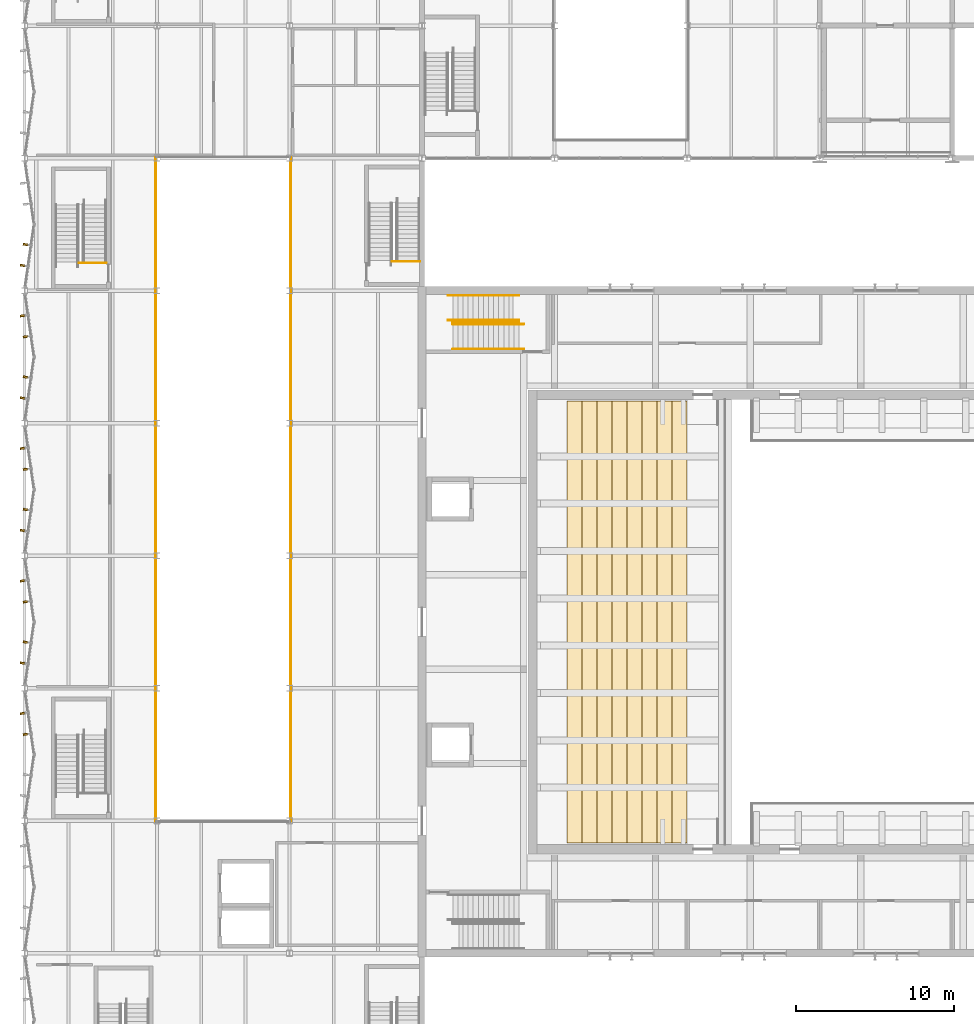
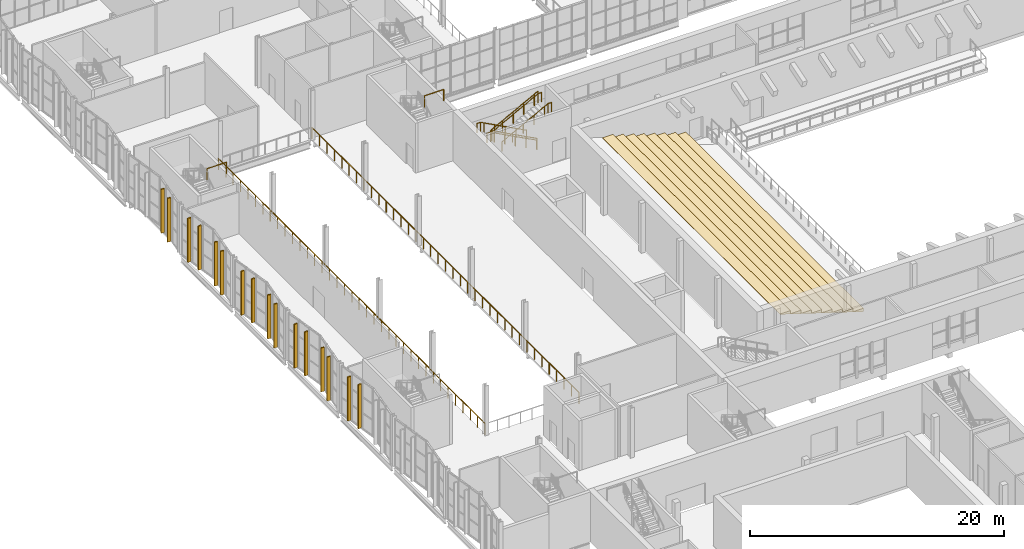
# One storey, part 117 of 127: 16 shading devices, 10 railings, 1 covering.
"""IFC4 building model written with IfcOpenShell, lengths in metres."""

from ifc_helpers import new_model, si_unit, direction, frame, origin, origin_2d, place, context, subcontext, project, spatial, polyline, rectangle, circle, outline, extrude, material, layer, layer_set, type_object, element, save


model = new_model("IFC4")

# Units and contexts
model_context = context("Model", 3, precision=1e-05, world=origin(), true_north=direction((0.0, 1.0)))
body_context = subcontext(model_context, "Body", "Model", "MODEL_VIEW")
ifc_project = project(units=[si_unit("LENGTHUNIT", "METRE"), si_unit("AREAUNIT", "SQUARE_METRE"), si_unit("VOLUMEUNIT", "CUBIC_METRE"), si_unit("PLANEANGLEUNIT", "RADIAN"), si_unit("MASSUNIT", "GRAM", prefix="KILO")], contexts=[model_context])

# Site, building, storey
site_placement = place(None, origin())
site = spatial("IfcSite", under=ifc_project, at=site_placement, CompositionType="ELEMENT")
building_placement = place(site_placement, origin())
building = spatial("IfcBuilding", under=site, at=building_placement, Name="Ljudholm Concert House", CompositionType="ELEMENT")
storey_placement = place(building_placement, frame((0.0, 0.0, 5.39990234375)))
storey = spatial("IfcBuildingStorey", under=building, at=storey_placement, Name="L01", CompositionType="ELEMENT", Elevation=5.39990234375)

# Shading devices
ifc_material_1 = material(Name="Aluminium extrusion with timber-grain PVDF finish", Category="aluminium")
shading_device_type = type_object("IfcShadingDeviceType", Name="FACADE FIN 300x120", PredefinedType="SHUTTER", material=ifc_material_1)
for number, where, z_axis, x_axis, name in (
    (1, (4.06396484375, 68.27783203125, 0.2001953125), (0.0, 0.0, 1.0), (-0.989949493662, -0.141421356235, 0.0), "Facade fin"),
    (2, (3.874267578125, 69.605224609375, 0.2001953125), (0.0, 0.0, 1.0), (-0.989949493662, -0.141421356235, 0.0), "Facade fin"),
    (3, (3.874267578125, 72.794677734375, 0.2001953125), (0.0, 0.0, 1.0), (-0.989949493662, 0.141421356235, 0.0), "Facade fin"),
    (4, (4.06396484375, 74.1220703125, 0.2001953125), (0.0, 0.0, 1.0), (-0.989949493662, 0.141421356235, 0.0), "Facade fin"),
    (5, (4.06396484375, 76.677978515625, 0.2001953125), (0.0, 0.0, 1.0), (-0.989949493662, -0.141421356235, 0.0), "Facade fin"),
    (6, (3.874267578125, 78.00537109375, 0.2001953125), (0.0, 0.0, 1.0), (-0.989949493662, -0.141421356235, 0.0), "Facade fin"),
    (7, (3.874267578125, 81.194580078125, 0.2001953125), (0.0, 0.0, 1.0), (-0.989949493662, 0.141421356235, 0.0), "Facade fin"),
    (8, (4.06396484375, 82.52197265625, 0.2001953125), (0.0, 0.0, 1.0), (-0.989949493662, 0.141421356235, 0.0), "Facade fin"),
    (9, (4.06396484375, 85.077880859375, 0.2001953125), (0.0, 0.0, 1.0), (-0.989949493662, -0.141421356235, 0.0), "Facade fin"),
    (10, (3.874267578125, 86.4052734375, 0.2001953125), (0.0, 0.0, 1.0), (-0.989949493662, -0.141421356235, 0.0), "Facade fin"),
    (11, (3.874267578125, 89.5947265625, 0.2001953125), (0.0, 0.0, 1.0), (-0.989949493662, 0.141421356235, 0.0), "Facade fin"),
    (12, (4.06396484375, 90.922119140625, 0.2001953125), (0.0, 0.0, 1.0), (-0.989949493662, 0.141421356235, 0.0), "Facade fin"),
    (13, (4.06396484375, 93.47802734375, 0.2001953125), (0.0, 0.0, 1.0), (-0.989949493662, -0.141421356235, 0.0), "Facade fin"),
    (14, (3.874267578125, 94.805419921875, 0.2001953125), (0.0, 0.0, 1.0), (-0.989949493662, -0.141421356235, 0.0), "Facade fin"),
    (15, (3.874267578125, 97.99462890625, 0.2001953125), (0.0, 0.0, 1.0), (-0.989949493662, 0.141421356235, 0.0), "Facade fin"),
    (16, (4.06396484375, 99.322021484375, 0.2001953125), (0.0, 0.0, 1.0), (-0.989949493662, 0.141421356235, 0.0), "Facade fin"),
):
    element("IfcShadingDevice", number, at=place(storey_placement, frame(where, z_axis=z_axis, x_axis=x_axis)), inside=storey, type_object=shading_device_type, Name=name, PredefinedType="SHUTTER", context=body_context, shape_type="SweptSolid", body=[
        extrude(rectangle(XDim=0.300048828125, YDim=0.1201171875, at=origin_2d()), origin(), (0.0, 0.0, 1.0), 4.219970703125),
    ])

# Railings
ifc_material_2 = material(Name="Steel ASTM A36", Category="steel")
railing_type_1 = type_object("IfcRailingType", Name="GUARD 1100", PredefinedType="GUARDRAIL", material=ifc_material_2)
railing_1_placement = place(storey_placement, frame((35.35009765625, 94.47509765625, 0.171630859375)))
element("IfcRailing", 17, at=railing_1_placement, inside=storey, type_object=railing_type_1, Name="Guard", PredefinedType="GUARDRAIL", context=body_context, shape_type="SweptSolid", body=[
    extrude(circle(Radius=0.02490234375, at=origin_2d()), frame((0.0, 0.0, 1.0751953125), z_axis=(-0.883397901953, 0.0, 0.468623672925), x_axis=(0.0, -1.0, 0.0)), (0.0, 0.0, 1.0), 1.09716796875),
    extrude(circle(Radius=0.02490234375, at=origin_2d()), frame((-0.96923828125, 0.0, 1.58935546875), z_axis=(-0.883305776083, 0.0, 0.468797297281), x_axis=(0.0, -1.0, 0.0)), (0.0, 0.0, 1.0), 1.09716796875),
    extrude(circle(Radius=0.02490234375, at=origin_2d()), frame((-1.9384765625, 0.0, 2.103515625), z_axis=(-0.883397901953, 0.0, 0.468623672925), x_axis=(0.0, -1.0, 0.0)), (0.0, 0.0, 1.0), 1.09716796875),
    extrude(circle(Radius=0.02490234375, at=origin_2d()), frame((-2.90771484375, 0.0, 2.61767578125), z_axis=(-0.883305776083, 0.0, 0.468797297281), x_axis=(0.0, -1.0, 0.0)), (0.0, 0.0, 1.0), 1.09716796875),
    extrude(circle(Radius=0.02490234375, at=origin_2d()), frame((-3.876953125, 0.0, 3.13232421875), z_axis=(-0.883495578036, 0.0, 0.468439498324), x_axis=(0.0, -1.0, 0.0)), (0.0, 0.0, 1.0), 0.365966796875),
    extrude(circle(Radius=0.02099609375, at=origin_2d()), origin(), (0.0, 0.0, 1.0), 1.050048828125),
    extrude(circle(Radius=0.02099609375, at=origin_2d()), frame((-0.96923828125, 0.0, 0.51416015625)), (0.0, 0.0, 1.0), 1.050048828125),
    extrude(circle(Radius=0.02099609375, at=origin_2d()), frame((-1.9384765625, 0.0, 1.028564453125)), (0.0, 0.0, 1.0), 1.050048828125),
    extrude(circle(Radius=0.02099609375, at=origin_2d()), frame((-2.90771484375, 0.0, 1.542724609375)), (0.0, 0.0, 1.0), 1.050048828125),
    extrude(circle(Radius=0.02099609375, at=origin_2d()), frame((-3.876953125, 0.0, 2.05712890625)), (0.0, 0.0, 1.0), 1.050048828125),
    extrude(circle(Radius=0.02099609375, at=origin_2d()), frame((-4.2001953125, 0.0, 2.228515625)), (0.0, 0.0, 1.0), 1.050048828125),
])
railing_2_placement = place(storey_placement, frame((31.14990234375, 94.324951171875, 2.571533203125)))
element("IfcRailing", 18, at=railing_2_placement, inside=storey, type_object=railing_type_1, Name="Guard", PredefinedType="GUARDRAIL", context=body_context, shape_type="SweptSolid", body=[
    extrude(circle(Radius=0.02490234375, at=origin_2d()), frame((0.0, 0.0, 1.0751953125), z_axis=(0.883397901953, 0.0, 0.468623672925), x_axis=(0.0, 1.0, 0.0)), (0.0, 0.0, 1.0), 1.09716796875),
    extrude(circle(Radius=0.02490234375, at=origin_2d()), frame((0.96923828125, 0.0, 1.58935546875), z_axis=(0.883305776083, 0.0, 0.468797297281), x_axis=(0.0, 1.0, 0.0)), (0.0, 0.0, 1.0), 1.09716796875),
    extrude(circle(Radius=0.02490234375, at=origin_2d()), frame((1.9384765625, 0.0, 2.103515625), z_axis=(0.883305776083, 0.0, 0.468797297281), x_axis=(0.0, 1.0, 0.0)), (0.0, 0.0, 1.0), 1.09716796875),
    extrude(circle(Radius=0.02490234375, at=origin_2d()), frame((2.90771484375, 0.0, 2.6181640625), z_axis=(0.883397901953, 0.0, 0.468623672925), x_axis=(0.0, 1.0, 0.0)), (0.0, 0.0, 1.0), 1.09716796875),
    extrude(circle(Radius=0.02490234375, at=origin_2d()), frame((3.876953125, 0.0, 3.13232421875), z_axis=(0.883495578036, 0.0, 0.468439498324), x_axis=(0.0, 1.0, 0.0)), (0.0, 0.0, 1.0), 0.365966796875),
    extrude(circle(Radius=0.02099609375, at=origin_2d()), origin(), (0.0, 0.0, 1.0), 1.050048828125),
    extrude(circle(Radius=0.02099609375, at=origin_2d()), frame((0.96923828125, 0.0, 0.51416015625)), (0.0, 0.0, 1.0), 1.050048828125),
    extrude(circle(Radius=0.02099609375, at=origin_2d()), frame((1.9384765625, 0.0, 1.028564453125)), (0.0, 0.0, 1.0), 1.050048828125),
    extrude(circle(Radius=0.02099609375, at=origin_2d()), frame((2.90771484375, 0.0, 1.54296875)), (0.0, 0.0, 1.0), 1.050048828125),
    extrude(circle(Radius=0.02099609375, at=origin_2d()), frame((3.876953125, 0.0, 2.05712890625)), (0.0, 0.0, 1.0), 1.050048828125),
    extrude(circle(Radius=0.02099609375, at=origin_2d()), frame((4.2001953125, 0.0, 2.228515625)), (0.0, 0.0, 1.0), 1.050048828125),
])
for number, where, name in (
    (19, (29.050048828125, 98.25, 4.800048828125), "Guard"),
    (20, (9.199951171875, 98.14990234375, 4.800048828125), "Guard"),
):
    element("IfcRailing", number, at=place(storey_placement, frame(where)), inside=storey, type_object=railing_type_1, Name=name, PredefinedType="GUARDRAIL", context=body_context, shape_type="SweptSolid", body=[
        extrude(circle(Radius=0.02490234375, at=origin_2d()), frame((0.0, 0.0, 1.0751953125), z_axis=(-1.0, 0.0, 0.0), x_axis=(0.0, -1.0, 0.0)), (0.0, 0.0, 1.0), 1.75),
        extrude(circle(Radius=0.02099609375, at=origin_2d()), origin(), (0.0, 0.0, 1.0), 1.050048828125),
        extrude(circle(Radius=0.02099609375, at=origin_2d()), frame((-1.75, 0.0, 0.0)), (0.0, 0.0, 1.0), 1.050048828125),
    ])
railing_3_placement = place(storey_placement, frame((20.8701171875, 62.760009765625, 0.0)))
element("IfcRailing", 21, at=railing_3_placement, inside=storey, type_object=railing_type_1, Name="Atrium guard", PredefinedType="GUARDRAIL", context=body_context, shape_type="SweptSolid", body=[
    extrude(circle(Radius=0.02490234375, at=origin_2d()), frame((0.0, 0.0, 1.0751953125), z_axis=(0.0, 1.0, 0.0), x_axis=(-1.0, 0.0, 0.0)), (0.0, 0.0, 1.0), 42.080078125),
    extrude(circle(Radius=0.02099609375, at=origin_2d()), origin(), (0.0, 0.0, 1.0), 1.050048828125),
    extrude(circle(Radius=0.02099609375, at=origin_2d()), frame((0.0, 1.1689453125, 0.0)), (0.0, 0.0, 1.0), 1.050048828125),
    extrude(circle(Radius=0.02099609375, at=origin_2d()), frame((0.0, 2.337890625, 0.0)), (0.0, 0.0, 1.0), 1.050048828125),
    extrude(circle(Radius=0.02099609375, at=origin_2d()), frame((0.0, 3.506591796875, 0.0)), (0.0, 0.0, 1.0), 1.050048828125),
    extrude(circle(Radius=0.02099609375, at=origin_2d()), frame((0.0, 4.675537109375, 0.0)), (0.0, 0.0, 1.0), 1.050048828125),
    extrude(circle(Radius=0.02099609375, at=origin_2d()), frame((0.0, 5.844482421875, 0.0)), (0.0, 0.0, 1.0), 1.050048828125),
    extrude(circle(Radius=0.02099609375, at=origin_2d()), frame((0.0, 7.013427734375, 0.0)), (0.0, 0.0, 1.0), 1.050048828125),
    extrude(circle(Radius=0.02099609375, at=origin_2d()), frame((0.0, 8.18212890625, 0.0)), (0.0, 0.0, 1.0), 1.050048828125),
    extrude(circle(Radius=0.02099609375, at=origin_2d()), frame((0.0, 9.35107421875, 0.0)), (0.0, 0.0, 1.0), 1.050048828125),
    extrude(circle(Radius=0.02099609375, at=origin_2d()), frame((0.0, 10.52001953125, 0.0)), (0.0, 0.0, 1.0), 1.050048828125),
    extrude(circle(Radius=0.02099609375, at=origin_2d()), frame((0.0, 11.68896484375, 0.0)), (0.0, 0.0, 1.0), 1.050048828125),
    extrude(circle(Radius=0.02099609375, at=origin_2d()), frame((0.0, 12.85791015625, 0.0)), (0.0, 0.0, 1.0), 1.050048828125),
    extrude(circle(Radius=0.02099609375, at=origin_2d()), frame((0.0, 14.026611328125, 0.0)), (0.0, 0.0, 1.0), 1.050048828125),
    extrude(circle(Radius=0.02099609375, at=origin_2d()), frame((0.0, 15.195556640625, 0.0)), (0.0, 0.0, 1.0), 1.050048828125),
    extrude(circle(Radius=0.02099609375, at=origin_2d()), frame((0.0, 16.364501953125, 0.0)), (0.0, 0.0, 1.0), 1.050048828125),
    extrude(circle(Radius=0.02099609375, at=origin_2d()), frame((0.0, 17.533447265625, 0.0)), (0.0, 0.0, 1.0), 1.050048828125),
    extrude(circle(Radius=0.02099609375, at=origin_2d()), frame((0.0, 18.7021484375, 0.0)), (0.0, 0.0, 1.0), 1.050048828125),
    extrude(circle(Radius=0.02099609375, at=origin_2d()), frame((0.0, 19.87109375, 0.0)), (0.0, 0.0, 1.0), 1.050048828125),
    extrude(circle(Radius=0.02099609375, at=origin_2d()), frame((0.0, 21.0400390625, 0.0)), (0.0, 0.0, 1.0), 1.050048828125),
    extrude(circle(Radius=0.02099609375, at=origin_2d()), frame((0.0, 22.208984375, 0.0)), (0.0, 0.0, 1.0), 1.050048828125),
    extrude(circle(Radius=0.02099609375, at=origin_2d()), frame((0.0, 23.3779296875, 0.0)), (0.0, 0.0, 1.0), 1.050048828125),
    extrude(circle(Radius=0.02099609375, at=origin_2d()), frame((0.0, 24.546630859375, 0.0)), (0.0, 0.0, 1.0), 1.050048828125),
    extrude(circle(Radius=0.02099609375, at=origin_2d()), frame((0.0, 25.715576171875, 0.0)), (0.0, 0.0, 1.0), 1.050048828125),
    extrude(circle(Radius=0.02099609375, at=origin_2d()), frame((0.0, 26.884521484375, 0.0)), (0.0, 0.0, 1.0), 1.050048828125),
    extrude(circle(Radius=0.02099609375, at=origin_2d()), frame((0.0, 28.053466796875, 0.0)), (0.0, 0.0, 1.0), 1.050048828125),
    extrude(circle(Radius=0.02099609375, at=origin_2d()), frame((0.0, 29.22216796875, 0.0)), (0.0, 0.0, 1.0), 1.050048828125),
    extrude(circle(Radius=0.02099609375, at=origin_2d()), frame((0.0, 30.39111328125, 0.0)), (0.0, 0.0, 1.0), 1.050048828125),
    extrude(circle(Radius=0.02099609375, at=origin_2d()), frame((0.0, 31.56005859375, 0.0)), (0.0, 0.0, 1.0), 1.050048828125),
    extrude(circle(Radius=0.02099609375, at=origin_2d()), frame((0.0, 32.72900390625, 0.0)), (0.0, 0.0, 1.0), 1.050048828125),
    extrude(circle(Radius=0.02099609375, at=origin_2d()), frame((0.0, 33.89794921875, 0.0)), (0.0, 0.0, 1.0), 1.050048828125),
    extrude(circle(Radius=0.02099609375, at=origin_2d()), frame((0.0, 35.066650390625, 0.0)), (0.0, 0.0, 1.0), 1.050048828125),
    extrude(circle(Radius=0.02099609375, at=origin_2d()), frame((0.0, 36.235595703125, 0.0)), (0.0, 0.0, 1.0), 1.050048828125),
    extrude(circle(Radius=0.02099609375, at=origin_2d()), frame((0.0, 37.404541015625, 0.0)), (0.0, 0.0, 1.0), 1.050048828125),
    extrude(circle(Radius=0.02099609375, at=origin_2d()), frame((0.0, 38.573486328125, 0.0)), (0.0, 0.0, 1.0), 1.050048828125),
    extrude(circle(Radius=0.02099609375, at=origin_2d()), frame((0.0, 39.7421875, 0.0)), (0.0, 0.0, 1.0), 1.050048828125),
    extrude(circle(Radius=0.02099609375, at=origin_2d()), frame((0.0, 40.9111328125, 0.0)), (0.0, 0.0, 1.0), 1.050048828125),
    extrude(circle(Radius=0.02099609375, at=origin_2d()), frame((0.0, 42.080078125, 0.0)), (0.0, 0.0, 1.0), 1.050048828125),
])
railing_4_placement = place(storey_placement, frame((12.330078125, 104.840087890625, 0.0)))
element("IfcRailing", 22, at=railing_4_placement, inside=storey, type_object=railing_type_1, Name="Atrium guard", PredefinedType="GUARDRAIL", context=body_context, shape_type="SweptSolid", body=[
    extrude(circle(Radius=0.02490234375, at=origin_2d()), frame((0.0, 0.0, 1.0751953125), z_axis=(0.0, -1.0, 0.0), x_axis=(1.0, 0.0, 0.0)), (0.0, 0.0, 1.0), 42.080078125),
    extrude(circle(Radius=0.02099609375, at=origin_2d()), origin(), (0.0, 0.0, 1.0), 1.050048828125),
    extrude(circle(Radius=0.02099609375, at=origin_2d()), frame((0.0, -1.1689453125, 0.0)), (0.0, 0.0, 1.0), 1.050048828125),
    extrude(circle(Radius=0.02099609375, at=origin_2d()), frame((0.0, -2.337890625, 0.0)), (0.0, 0.0, 1.0), 1.050048828125),
    extrude(circle(Radius=0.02099609375, at=origin_2d()), frame((0.0, -3.506591796875, 0.0)), (0.0, 0.0, 1.0), 1.050048828125),
    extrude(circle(Radius=0.02099609375, at=origin_2d()), frame((0.0, -4.675537109375, 0.0)), (0.0, 0.0, 1.0), 1.050048828125),
    extrude(circle(Radius=0.02099609375, at=origin_2d()), frame((0.0, -5.844482421875, 0.0)), (0.0, 0.0, 1.0), 1.050048828125),
    extrude(circle(Radius=0.02099609375, at=origin_2d()), frame((0.0, -7.013427734375, 0.0)), (0.0, 0.0, 1.0), 1.050048828125),
    extrude(circle(Radius=0.02099609375, at=origin_2d()), frame((0.0, -8.18212890625, 0.0)), (0.0, 0.0, 1.0), 1.050048828125),
    extrude(circle(Radius=0.02099609375, at=origin_2d()), frame((0.0, -9.35107421875, 0.0)), (0.0, 0.0, 1.0), 1.050048828125),
    extrude(circle(Radius=0.02099609375, at=origin_2d()), frame((0.0, -10.52001953125, 0.0)), (0.0, 0.0, 1.0), 1.050048828125),
    extrude(circle(Radius=0.02099609375, at=origin_2d()), frame((0.0, -11.68896484375, 0.0)), (0.0, 0.0, 1.0), 1.050048828125),
    extrude(circle(Radius=0.02099609375, at=origin_2d()), frame((0.0, -12.85791015625, 0.0)), (0.0, 0.0, 1.0), 1.050048828125),
    extrude(circle(Radius=0.02099609375, at=origin_2d()), frame((0.0, -14.026611328125, 0.0)), (0.0, 0.0, 1.0), 1.050048828125),
    extrude(circle(Radius=0.02099609375, at=origin_2d()), frame((0.0, -15.195556640625, 0.0)), (0.0, 0.0, 1.0), 1.050048828125),
    extrude(circle(Radius=0.02099609375, at=origin_2d()), frame((0.0, -16.364501953125, 0.0)), (0.0, 0.0, 1.0), 1.050048828125),
    extrude(circle(Radius=0.02099609375, at=origin_2d()), frame((0.0, -17.533447265625, 0.0)), (0.0, 0.0, 1.0), 1.050048828125),
    extrude(circle(Radius=0.02099609375, at=origin_2d()), frame((0.0, -18.7021484375, 0.0)), (0.0, 0.0, 1.0), 1.050048828125),
    extrude(circle(Radius=0.02099609375, at=origin_2d()), frame((0.0, -19.87109375, 0.0)), (0.0, 0.0, 1.0), 1.050048828125),
    extrude(circle(Radius=0.02099609375, at=origin_2d()), frame((0.0, -21.0400390625, 0.0)), (0.0, 0.0, 1.0), 1.050048828125),
    extrude(circle(Radius=0.02099609375, at=origin_2d()), frame((0.0, -22.208984375, 0.0)), (0.0, 0.0, 1.0), 1.050048828125),
    extrude(circle(Radius=0.02099609375, at=origin_2d()), frame((0.0, -23.3779296875, 0.0)), (0.0, 0.0, 1.0), 1.050048828125),
    extrude(circle(Radius=0.02099609375, at=origin_2d()), frame((0.0, -24.546630859375, 0.0)), (0.0, 0.0, 1.0), 1.050048828125),
    extrude(circle(Radius=0.02099609375, at=origin_2d()), frame((0.0, -25.715576171875, 0.0)), (0.0, 0.0, 1.0), 1.050048828125),
    extrude(circle(Radius=0.02099609375, at=origin_2d()), frame((0.0, -26.884521484375, 0.0)), (0.0, 0.0, 1.0), 1.050048828125),
    extrude(circle(Radius=0.02099609375, at=origin_2d()), frame((0.0, -28.053466796875, 0.0)), (0.0, 0.0, 1.0), 1.050048828125),
    extrude(circle(Radius=0.02099609375, at=origin_2d()), frame((0.0, -29.22216796875, 0.0)), (0.0, 0.0, 1.0), 1.050048828125),
    extrude(circle(Radius=0.02099609375, at=origin_2d()), frame((0.0, -30.39111328125, 0.0)), (0.0, 0.0, 1.0), 1.050048828125),
    extrude(circle(Radius=0.02099609375, at=origin_2d()), frame((0.0, -31.56005859375, 0.0)), (0.0, 0.0, 1.0), 1.050048828125),
    extrude(circle(Radius=0.02099609375, at=origin_2d()), frame((0.0, -32.72900390625, 0.0)), (0.0, 0.0, 1.0), 1.050048828125),
    extrude(circle(Radius=0.02099609375, at=origin_2d()), frame((0.0, -33.89794921875, 0.0)), (0.0, 0.0, 1.0), 1.050048828125),
    extrude(circle(Radius=0.02099609375, at=origin_2d()), frame((0.0, -35.066650390625, 0.0)), (0.0, 0.0, 1.0), 1.050048828125),
    extrude(circle(Radius=0.02099609375, at=origin_2d()), frame((0.0, -36.235595703125, 0.0)), (0.0, 0.0, 1.0), 1.050048828125),
    extrude(circle(Radius=0.02099609375, at=origin_2d()), frame((0.0, -37.404541015625, 0.0)), (0.0, 0.0, 1.0), 1.050048828125),
    extrude(circle(Radius=0.02099609375, at=origin_2d()), frame((0.0, -38.573486328125, 0.0)), (0.0, 0.0, 1.0), 1.050048828125),
    extrude(circle(Radius=0.02099609375, at=origin_2d()), frame((0.0, -39.7421875, 0.0)), (0.0, 0.0, 1.0), 1.050048828125),
    extrude(circle(Radius=0.02099609375, at=origin_2d()), frame((0.0, -40.9111328125, 0.0)), (0.0, 0.0, 1.0), 1.050048828125),
    extrude(circle(Radius=0.02099609375, at=origin_2d()), frame((0.0, -42.080078125, 0.0)), (0.0, 0.0, 1.0), 1.050048828125),
])
ifc_material_3 = material(Name="Steel ASTM A36", Category="steel")
railing_type_2 = type_object("IfcRailingType", Name="HANDRAIL 900", PredefinedType="HANDRAIL", material=ifc_material_3)
railing_5_placement = place(storey_placement, frame((35.35009765625, 94.52490234375, 0.171630859375)))
element("IfcRailing", 23, at=railing_5_placement, inside=storey, type_object=railing_type_2, Name="Handrail", PredefinedType="HANDRAIL", context=body_context, shape_type="SweptSolid", body=[
    extrude(circle(Radius=0.0224609375, at=origin_2d()), frame((0.0, 0.0, 0.87744140625), z_axis=(-0.883397901953, 0.0, 0.468623672925), x_axis=(0.0, -1.0, 0.0)), (0.0, 0.0, 1.0), 1.09716796875),
    extrude(circle(Radius=0.0224609375, at=origin_2d()), frame((-0.96923828125, 0.0, 1.3916015625), z_axis=(-0.883305776083, 0.0, 0.468797297281), x_axis=(0.0, -1.0, 0.0)), (0.0, 0.0, 1.0), 1.09716796875),
    extrude(circle(Radius=0.0224609375, at=origin_2d()), frame((-1.9384765625, 0.0, 1.906005859375), z_axis=(-0.883397901953, 0.0, 0.468623672925), x_axis=(0.0, -1.0, 0.0)), (0.0, 0.0, 1.0), 1.09716796875),
    extrude(circle(Radius=0.0224609375, at=origin_2d()), frame((-2.90771484375, 0.0, 2.420166015625), z_axis=(-0.883305776083, 0.0, 0.468797297281), x_axis=(0.0, -1.0, 0.0)), (0.0, 0.0, 1.0), 1.09716796875),
    extrude(circle(Radius=0.0224609375, at=origin_2d()), frame((-3.876953125, 0.0, 2.9345703125), z_axis=(-0.883495578036, 0.0, 0.468439498324), x_axis=(0.0, -1.0, 0.0)), (0.0, 0.0, 1.0), 0.365966796875),
    extrude(circle(Radius=0.0224609375, at=origin_2d()), frame((-4.2001953125, 0.0, 3.10595703125), z_axis=(-1.0, 0.0, 0.0), x_axis=(0.0, -1.0, 0.0)), (0.0, 0.0, 1.0), 0.2998046875),
    extrude(circle(Radius=0.02099609375, at=origin_2d()), origin(), (0.0, 0.0, 1.0), 0.85498046875),
    extrude(circle(Radius=0.02099609375, at=origin_2d()), frame((-0.96923828125, 0.0, 0.51416015625)), (0.0, 0.0, 1.0), 0.85498046875),
    extrude(circle(Radius=0.02099609375, at=origin_2d()), frame((-1.9384765625, 0.0, 1.028564453125)), (0.0, 0.0, 1.0), 0.85498046875),
    extrude(circle(Radius=0.02099609375, at=origin_2d()), frame((-2.90771484375, 0.0, 1.542724609375)), (0.0, 0.0, 1.0), 0.85498046875),
    extrude(circle(Radius=0.02099609375, at=origin_2d()), frame((-3.876953125, 0.0, 2.05712890625)), (0.0, 0.0, 1.0), 0.85498046875),
    extrude(circle(Radius=0.02099609375, at=origin_2d()), frame((-4.2001953125, 0.0, 2.228515625)), (0.0, 0.0, 1.0), 0.85498046875),
    extrude(circle(Radius=0.02099609375, at=origin_2d()), frame((-4.5, 0.0, 2.228515625)), (0.0, 0.0, 1.0), 0.85498046875),
])
railing_6_placement = place(storey_placement, frame((35.35009765625, 96.10009765625, 0.171630859375)))
element("IfcRailing", 24, at=railing_6_placement, inside=storey, type_object=railing_type_2, Name="Handrail", PredefinedType="HANDRAIL", context=body_context, shape_type="SweptSolid", body=[
    extrude(circle(Radius=0.0224609375, at=origin_2d()), frame((0.0, 0.0, 0.87744140625), z_axis=(-0.883397901953, 0.0, 0.468623672925), x_axis=(0.0, -1.0, 0.0)), (0.0, 0.0, 1.0), 1.09716796875),
    extrude(circle(Radius=0.0224609375, at=origin_2d()), frame((-0.96923828125, 0.0, 1.3916015625), z_axis=(-0.883305776083, 0.0, 0.468797297281), x_axis=(0.0, -1.0, 0.0)), (0.0, 0.0, 1.0), 1.09716796875),
    extrude(circle(Radius=0.0224609375, at=origin_2d()), frame((-1.9384765625, 0.0, 1.906005859375), z_axis=(-0.883397901953, 0.0, 0.468623672925), x_axis=(0.0, -1.0, 0.0)), (0.0, 0.0, 1.0), 1.09716796875),
    extrude(circle(Radius=0.0224609375, at=origin_2d()), frame((-2.90771484375, 0.0, 2.420166015625), z_axis=(-0.883305776083, 0.0, 0.468797297281), x_axis=(0.0, -1.0, 0.0)), (0.0, 0.0, 1.0), 1.09716796875),
    extrude(circle(Radius=0.0224609375, at=origin_2d()), frame((-3.876953125, 0.0, 2.9345703125), z_axis=(-0.883495578036, 0.0, 0.468439498324), x_axis=(0.0, -1.0, 0.0)), (0.0, 0.0, 1.0), 0.365966796875),
    extrude(circle(Radius=0.0224609375, at=origin_2d()), frame((-4.2001953125, 0.0, 3.10595703125), z_axis=(-1.0, 0.0, 0.0), x_axis=(0.0, -1.0, 0.0)), (0.0, 0.0, 1.0), 0.2998046875),
    extrude(circle(Radius=0.02099609375, at=origin_2d()), origin(), (0.0, 0.0, 1.0), 0.85498046875),
    extrude(circle(Radius=0.02099609375, at=origin_2d()), frame((-0.96923828125, 0.0, 0.51416015625)), (0.0, 0.0, 1.0), 0.85498046875),
    extrude(circle(Radius=0.02099609375, at=origin_2d()), frame((-1.9384765625, 0.0, 1.028564453125)), (0.0, 0.0, 1.0), 0.85498046875),
    extrude(circle(Radius=0.02099609375, at=origin_2d()), frame((-2.90771484375, 0.0, 1.542724609375)), (0.0, 0.0, 1.0), 0.85498046875),
    extrude(circle(Radius=0.02099609375, at=origin_2d()), frame((-3.876953125, 0.0, 2.05712890625)), (0.0, 0.0, 1.0), 0.85498046875),
    extrude(circle(Radius=0.02099609375, at=origin_2d()), frame((-4.2001953125, 0.0, 2.228515625)), (0.0, 0.0, 1.0), 0.85498046875),
    extrude(circle(Radius=0.02099609375, at=origin_2d()), frame((-4.5, 0.0, 2.228515625)), (0.0, 0.0, 1.0), 0.85498046875),
])
railing_7_placement = place(storey_placement, frame((31.14990234375, 94.27490234375, 2.571533203125)))
element("IfcRailing", 25, at=railing_7_placement, inside=storey, type_object=railing_type_2, Name="Handrail", PredefinedType="HANDRAIL", context=body_context, shape_type="SweptSolid", body=[
    extrude(circle(Radius=0.0224609375, at=origin_2d()), frame((0.0, 0.0, 0.87744140625), z_axis=(0.883397901953, 0.0, 0.468623672925), x_axis=(0.0, 1.0, 0.0)), (0.0, 0.0, 1.0), 1.09716796875),
    extrude(circle(Radius=0.0224609375, at=origin_2d()), frame((0.96923828125, 0.0, 1.3916015625), z_axis=(0.883305776083, 0.0, 0.468797297281), x_axis=(0.0, 1.0, 0.0)), (0.0, 0.0, 1.0), 1.09716796875),
    extrude(circle(Radius=0.0224609375, at=origin_2d()), frame((1.9384765625, 0.0, 1.906005859375), z_axis=(0.883305776083, 0.0, 0.468797297281), x_axis=(0.0, 1.0, 0.0)), (0.0, 0.0, 1.0), 1.09716796875),
    extrude(circle(Radius=0.0224609375, at=origin_2d()), frame((2.90771484375, 0.0, 2.42041015625), z_axis=(0.883397901953, 0.0, 0.468623672925), x_axis=(0.0, 1.0, 0.0)), (0.0, 0.0, 1.0), 1.09716796875),
    extrude(circle(Radius=0.0224609375, at=origin_2d()), frame((3.876953125, 0.0, 2.9345703125), z_axis=(0.883495578036, 0.0, 0.468439498324), x_axis=(0.0, 1.0, 0.0)), (0.0, 0.0, 1.0), 0.365966796875),
    extrude(circle(Radius=0.0224609375, at=origin_2d()), frame((4.2001953125, 0.0, 3.10595703125), z_axis=(1.0, 0.0, 0.0), x_axis=(0.0, 1.0, 0.0)), (0.0, 0.0, 1.0), 0.2998046875),
    extrude(circle(Radius=0.02099609375, at=origin_2d()), origin(), (0.0, 0.0, 1.0), 0.85498046875),
    extrude(circle(Radius=0.02099609375, at=origin_2d()), frame((0.96923828125, 0.0, 0.51416015625)), (0.0, 0.0, 1.0), 0.85498046875),
    extrude(circle(Radius=0.02099609375, at=origin_2d()), frame((1.9384765625, 0.0, 1.028564453125)), (0.0, 0.0, 1.0), 0.85498046875),
    extrude(circle(Radius=0.02099609375, at=origin_2d()), frame((2.90771484375, 0.0, 1.54296875)), (0.0, 0.0, 1.0), 0.85498046875),
    extrude(circle(Radius=0.02099609375, at=origin_2d()), frame((3.876953125, 0.0, 2.05712890625)), (0.0, 0.0, 1.0), 0.85498046875),
    extrude(circle(Radius=0.02099609375, at=origin_2d()), frame((4.2001953125, 0.0, 2.228515625)), (0.0, 0.0, 1.0), 0.85498046875),
    extrude(circle(Radius=0.02099609375, at=origin_2d()), frame((4.5, 0.0, 2.228515625)), (0.0, 0.0, 1.0), 0.85498046875),
])
railing_8_placement = place(storey_placement, frame((31.14990234375, 92.699951171875, 2.571533203125)))
element("IfcRailing", 26, at=railing_8_placement, inside=storey, type_object=railing_type_2, Name="Handrail", PredefinedType="HANDRAIL", context=body_context, shape_type="SweptSolid", body=[
    extrude(circle(Radius=0.0224609375, at=origin_2d()), frame((0.0, 0.0, 0.87744140625), z_axis=(0.883397901953, 0.0, 0.468623672925), x_axis=(0.0, 1.0, 0.0)), (0.0, 0.0, 1.0), 1.09716796875),
    extrude(circle(Radius=0.0224609375, at=origin_2d()), frame((0.96923828125, 0.0, 1.3916015625), z_axis=(0.883305776083, 0.0, 0.468797297281), x_axis=(0.0, 1.0, 0.0)), (0.0, 0.0, 1.0), 1.09716796875),
    extrude(circle(Radius=0.0224609375, at=origin_2d()), frame((1.9384765625, 0.0, 1.906005859375), z_axis=(0.883305776083, 0.0, 0.468797297281), x_axis=(0.0, 1.0, 0.0)), (0.0, 0.0, 1.0), 1.09716796875),
    extrude(circle(Radius=0.0224609375, at=origin_2d()), frame((2.90771484375, 0.0, 2.42041015625), z_axis=(0.883397901953, 0.0, 0.468623672925), x_axis=(0.0, 1.0, 0.0)), (0.0, 0.0, 1.0), 1.09716796875),
    extrude(circle(Radius=0.0224609375, at=origin_2d()), frame((3.876953125, 0.0, 2.9345703125), z_axis=(0.883495578036, 0.0, 0.468439498324), x_axis=(0.0, 1.0, 0.0)), (0.0, 0.0, 1.0), 0.365966796875),
    extrude(circle(Radius=0.0224609375, at=origin_2d()), frame((4.2001953125, 0.0, 3.10595703125), z_axis=(1.0, 0.0, 0.0), x_axis=(0.0, 1.0, 0.0)), (0.0, 0.0, 1.0), 0.2998046875),
    extrude(circle(Radius=0.02099609375, at=origin_2d()), origin(), (0.0, 0.0, 1.0), 0.85498046875),
    extrude(circle(Radius=0.02099609375, at=origin_2d()), frame((0.96923828125, 0.0, 0.51416015625)), (0.0, 0.0, 1.0), 0.85498046875),
    extrude(circle(Radius=0.02099609375, at=origin_2d()), frame((1.9384765625, 0.0, 1.028564453125)), (0.0, 0.0, 1.0), 0.85498046875),
    extrude(circle(Radius=0.02099609375, at=origin_2d()), frame((2.90771484375, 0.0, 1.54296875)), (0.0, 0.0, 1.0), 0.85498046875),
    extrude(circle(Radius=0.02099609375, at=origin_2d()), frame((3.876953125, 0.0, 2.05712890625)), (0.0, 0.0, 1.0), 0.85498046875),
    extrude(circle(Radius=0.02099609375, at=origin_2d()), frame((4.2001953125, 0.0, 2.228515625)), (0.0, 0.0, 1.0), 0.85498046875),
    extrude(circle(Radius=0.02099609375, at=origin_2d()), frame((4.5, 0.0, 2.228515625)), (0.0, 0.0, 1.0), 0.85498046875),
])

# Covering
ifc_material_4 = material(Name="Timber seating tread", Category="wood")
ifc_layer = layer(ifc_material_4, 0.030029296875)
ifc_layer_set = layer_set([ifc_layer], Name="Timber seating tread")
covering_type = type_object("IfcCoveringType", Name="TIMBER SEATING TREAD FLOOR FINISH 30", PredefinedType="FLOORING", material=ifc_layer_set)
covering_placement = place(storey_placement, frame((46.0, 75.39990234375, -5.39990234375), z_axis=(0.0, 0.0, 1.0), x_axis=(-1.0, 0.0, 0.0)))
element("IfcCovering", 27, at=covering_placement, inside=storey, type_object=covering_type, Name="First tier seating steps", PredefinedType="FLOORING", context=body_context, shape_type="SweptSolid", body=[
    extrude(outline(polyline([(0.0, 6.2841796875), (7.60009765625, 8.684326171875), (7.60009765625, 8.714111328125), (6.64990234375, 8.714111328125), (6.64990234375, 8.414306640625), (5.699951171875, 8.414306640625), (5.699951171875, 8.1142578125), (4.75, 8.1142578125), (4.75, 7.814208984375), (3.800048828125, 7.814208984375), (3.800048828125, 7.51416015625), (2.85009765625, 7.51416015625), (2.85009765625, 7.214111328125), (1.89990234375, 7.214111328125), (1.89990234375, 6.914306640625), (0.949951171875, 6.914306640625), (0.949951171875, 6.6142578125), (0.0, 6.6142578125), (0.0, 6.2841796875)])), frame((0.0, 14.0, 0.0), z_axis=(0.0, -1.0, 0.0), x_axis=(1.0, 0.0, 0.0)), (0.0, 0.0, 1.0), 28.0),
])

save(model, "model.ifc")
